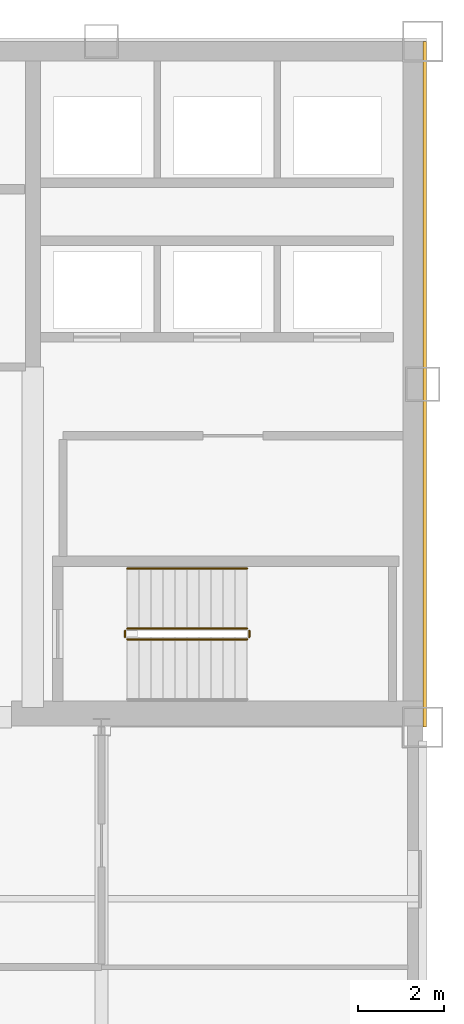
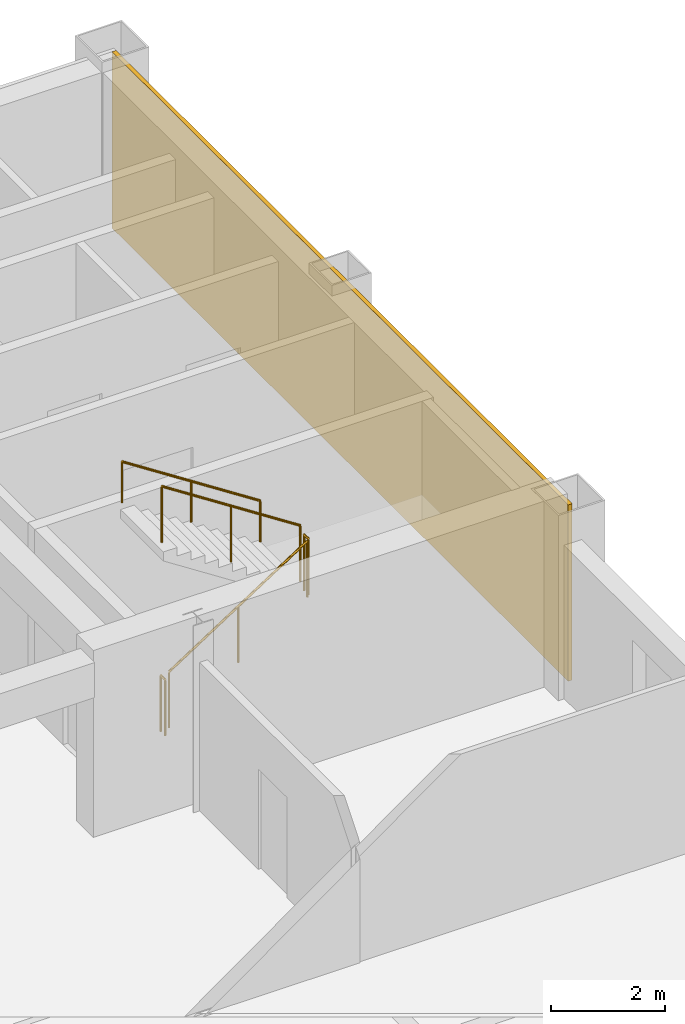
# One storey, part 8 of 10: 5 railings, 1 covering.
"""IFC4 building model written with IfcOpenShell, lengths in metres."""

import ifcopenshell
import ifcopenshell.guid

model = None  # the IFC model being written
_history = None  # IfcOwnerHistory: only IFC2X3 demands one
_inside = {}  # id of a spatial element -> (the spatial element, [elements in it])
_under = {}  # id of a project, library or spatial element -> (it, [spatial elements below it])
_declared = {}  # id of a project -> (the project, [libraries it declares])
_typed = {}  # id of a type object -> (the type object, [elements of that type])
_made_of = {}  # id of a material, layer set ... -> (it, [elements and type objects made of it])


def new_model(schema):
    """Start an empty IFC model of exactly this schema.

    Asked for "IFC4X3", IfcOpenShell would pick the latest addendum, in which some entities
    have other attributes; the version numbers below select the first issue.
    IFC2X3 requires an IfcOwnerHistory on every rooted entity: one is made here for all.
    """
    global model, _history
    if schema == "IFC4X3":
        model = ifcopenshell.file(schema_version=(4, 3, 0, 0))
    else:
        model = ifcopenshell.file(schema=schema)
    _inside.clear()
    _under.clear()
    _declared.clear()
    _typed.clear()
    _made_of.clear()
    _history = None
    if model.schema == "IFC2X3":
        org = make("IfcOrganization", Name="unknown")
        user = make(
            "IfcPersonAndOrganization",
            ThePerson=make("IfcPerson", FamilyName="unknown"),
            TheOrganization=org,
        )
        app = make(
            "IfcApplication",
            ApplicationDeveloper=org,
            Version="unknown",
            ApplicationFullName="unknown",
            ApplicationIdentifier="unknown",
        )
        _history = make(
            "IfcOwnerHistory",
            OwningUser=user,
            OwningApplication=app,
            ChangeAction="ADDED",
            CreationDate=0,
        )
    return model


def make(cls, **values):
    """One entity of the class cls with the attributes given. An attribute that is None is left unset."""
    return model.create_entity(
        cls, **{name: value for name, value in values.items() if value is not None}
    )


def rooted(cls, **values):
    """An entity with a GlobalId (a new one), such as an element, a storey or a relation."""
    return make(cls, GlobalId=ifcopenshell.guid.new(), OwnerHistory=_history, **values)


def si_unit(unit_type, name, prefix=None):
    """IfcSIUnit, for example si_unit("LENGTHUNIT", "METRE", prefix="MILLI")."""
    return make("IfcSIUnit", UnitType=unit_type, Prefix=prefix, Name=name)


def assignment(units):
    """IfcUnitAssignment: the units of a project."""
    return None if units is None else make("IfcUnitAssignment", Units=units)


def point(xyz):
    """IfcCartesianPoint."""
    return None if xyz is None else make("IfcCartesianPoint", Coordinates=xyz)


def direction(xyz):
    """IfcDirection."""
    return None if xyz is None else make("IfcDirection", DirectionRatios=xyz)


def frame(location, z_axis=None, x_axis=None):
    """IfcAxis2Placement3D, a coordinate frame: its origin and axes. An axis left out is left unset."""
    return make(
        "IfcAxis2Placement3D",
        Location=point(location),
        Axis=direction(z_axis),
        RefDirection=direction(x_axis),
    )


def frame_2d(location, x_axis=None):
    """IfcAxis2Placement2D, a coordinate frame in the plane: its origin and x axis."""
    return make(
        "IfcAxis2Placement2D", Location=point(location), RefDirection=direction(x_axis)
    )


def origin():
    """The frame at (0, 0, 0) with its axes left unset."""
    return frame((0.0, 0.0, 0.0))


def origin_2d():
    """The frame at (0, 0) in the plane with its x axis left unset."""
    return frame_2d((0.0, 0.0))


def place(relative_to, where):
    """IfcLocalPlacement: puts the frame where relative to a parent placement (None: the world)."""
    return make(
        "IfcLocalPlacement", PlacementRelTo=relative_to, RelativePlacement=where
    )


def context(
    kind, dimensions, precision=None, world=None, true_north=None, identifier=None
):
    """IfcGeometricRepresentationContext, for example the 3D "Model" context."""
    return make(
        "IfcGeometricRepresentationContext",
        ContextIdentifier=identifier,
        ContextType=kind,
        CoordinateSpaceDimension=dimensions,
        Precision=precision,
        WorldCoordinateSystem=world,
        TrueNorth=true_north,
    )


def subcontext(parent, identifier, kind, view, scale=None):
    """IfcGeometricRepresentationSubContext, for example "Body" below "Model"."""
    return make(
        "IfcGeometricRepresentationSubContext",
        ContextIdentifier=identifier,
        ContextType=kind,
        ParentContext=parent,
        TargetScale=scale,
        TargetView=view,
    )


def project(units=None, contexts=None):
    """IfcProject with its units and contexts."""
    return rooted(
        "IfcProject",
        Name="project",
        RepresentationContexts=contexts,
        UnitsInContext=assignment(units),
    )


def spatial(cls, under=None, at=None, **own):
    """A site, building, storey or space (cls), placed at a placement, below another one or the project."""
    s = rooted(cls, ObjectPlacement=at, **own)
    if under is not None:
        _under.setdefault(under.id(), (under, []))[1].append(s)
    return s


def profile(cls, at=None, kind="AREA", **sizes):
    """A parametric profile (cls). Its sizes go by their IFC names, for example OverallWidth=200.0."""
    return make(cls, ProfileType=kind, Position=at, **sizes)


def rectangle(**sizes):
    """IfcRectangleProfileDef."""
    return profile("IfcRectangleProfileDef", **sizes)


def circle(**sizes):
    """IfcCircleProfileDef."""
    return profile("IfcCircleProfileDef", **sizes)


def extrude(swept, where, along, depth):
    """IfcExtrudedAreaSolid: the profile swept, set in the frame where, extruded along a direction by depth."""
    return make(
        "IfcExtrudedAreaSolid",
        SweptArea=swept,
        Position=where,
        ExtrudedDirection=direction(along),
        Depth=depth,
    )


def shape(context_of_items, identifier, shape_type, items):
    """IfcShapeRepresentation: the items that make up one representation, for example the "Body"."""
    return make(
        "IfcShapeRepresentation",
        ContextOfItems=context_of_items,
        RepresentationIdentifier=identifier,
        RepresentationType=shape_type,
        Items=items,
    )


def material(Name=None, Category=None):
    """IfcMaterial."""
    return make("IfcMaterial", Name=Name, Category=Category)


def layer(
    of_material, thickness, ventilated=None, Name=None, Category=None, Priority=None
):
    """IfcMaterialLayer: one layer of a wall or slab, of a material (None: an air gap)."""
    return make(
        "IfcMaterialLayer",
        Material=of_material,
        LayerThickness=thickness,
        IsVentilated=ventilated,
        Name=Name,
        Category=Category,
        Priority=Priority,
    )


def layer_set(layers, Name=None):
    """IfcMaterialLayerSet."""
    return make("IfcMaterialLayerSet", MaterialLayers=layers, LayerSetName=Name)


def made_of(thing, what):
    """Note that an element or type object is made of a material, layer set ...; save() writes the relation."""
    if what is not None:
        _made_of.setdefault(what.id(), (what, []))[1].append(thing)
    return thing


def type_object(cls, material=None, **own):
    """A type object (cls), such as IfcWallType, which elements share."""
    return made_of(rooted(cls, **own), material)


def element(
    cls,
    number,
    at=None,
    inside=None,
    cuts=None,
    type_object=None,
    material=None,
    context=None,
    identifier="Body",
    shape_type=None,
    held_by="IfcProductDefinitionShape",
    body=None,
    shapes=None,
    **own,
):
    """One element of the class cls, such as IfcWall. Its Tag is "e" and its number.

    at: its placement. inside: the storey or other place that contains it. cuts: it is an
    opening in that element (IfcRelVoidsElement). A single representation is given by context,
    identifier, shape_type and body (its items); several are given by shapes. held_by: the class
    of the entity that holds the representations. save() writes the other relations.
    """
    e = rooted(cls, Tag="e%d" % number, ObjectPlacement=at, **own)
    if body is not None:
        shapes = [shape(context, identifier, shape_type, body)]
    if shapes is not None:
        e.Representation = make(held_by, Representations=shapes)
    if inside is not None:
        _inside.setdefault(inside.id(), (inside, []))[1].append(e)
    if cuts is not None:
        rooted(
            "IfcRelVoidsElement", RelatingBuildingElement=cuts, RelatedOpeningElement=e
        )
    if type_object is not None:
        _typed.setdefault(type_object.id(), (type_object, []))[1].append(e)
    return made_of(e, material)


def aggregate(whole, parts):
    """IfcRelAggregates: a whole, such as a stair, and the parts it consists of."""
    return rooted("IfcRelAggregates", RelatingObject=whole, RelatedObjects=parts)


def save(model, path):
    """Write the relations noted so far, then the file.

    IfcRelAggregates (storeys below a building ...), IfcRelContainedInSpatialStructure (elements
    in a storey), IfcRelDefinesByType, IfcRelAssociatesMaterial and IfcRelDeclares: one each for
    every whole, place, type object, material and project.
    """
    for whole, parts in _under.values():
        aggregate(whole, parts)
    for where, things in _inside.values():
        rooted(
            "IfcRelContainedInSpatialStructure",
            RelatedElements=things,
            RelatingStructure=where,
        )
    for kind, things in _typed.values():
        rooted("IfcRelDefinesByType", RelatedObjects=things, RelatingType=kind)
    for what, things in _made_of.values():
        rooted("IfcRelAssociatesMaterial", RelatedObjects=things, RelatingMaterial=what)
    for by, libraries in _declared.values():
        rooted("IfcRelDeclares", RelatingContext=by, RelatedDefinitions=libraries)
    model.write(path)


model = new_model("IFC4")

# Units and contexts
model_context = context("Model", 3, precision=1e-05, world=origin(), true_north=direction((0.0, 1.0)))
body_context = subcontext(model_context, "Body", "Model", "MODEL_VIEW")
ifc_project = project(units=[si_unit("LENGTHUNIT", "METRE"), si_unit("AREAUNIT", "SQUARE_METRE"), si_unit("VOLUMEUNIT", "CUBIC_METRE"), si_unit("PLANEANGLEUNIT", "RADIAN"), si_unit("MASSUNIT", "GRAM", prefix="KILO")], contexts=[model_context])

# Site, building, storey
site_placement = place(None, origin())
site = spatial("IfcSite", under=ifc_project, at=site_placement, CompositionType="ELEMENT")
building_placement = place(site_placement, origin())
building = spatial("IfcBuilding", under=site, at=building_placement, Name="Qianrong Seaharbour Tower", CompositionType="ELEMENT")
storey_placement = place(building_placement, frame((0.0, 0.0, 253.800048828125)))
storey = spatial("IfcBuildingStorey", under=building, at=storey_placement, Name="L61", CompositionType="ELEMENT", Elevation=253.800048828125)

# Covering
ifc_material_1 = material(Name="Unitised red brick cladding on Precast concrete C45/55", Category="masonry")
ifc_layer = layer(ifc_material_1, 0.080078125)
ifc_layer_set = layer_set([ifc_layer], Name="Unitised red brick cladding on Precast concrete C45/55")
covering_type = type_object("IfcCoveringType", Name="COV-CLAD-RED-BRICK-80", PredefinedType="CLADDING", material=ifc_layer_set)
covering_placement = place(storey_placement, frame((64.0400390625, 44.0, 0.0), z_axis=(0.0, 0.0, 1.0), x_axis=(1.0, 0.0, 0.0)))
element("IfcCovering", 1, at=covering_placement, inside=storey, type_object=covering_type, Name="L61 East Core Brick Veneer Cladding", PredefinedType="CLADDING", context=body_context, shape_type="SweptSolid", body=[
    extrude(rectangle(XDim=0.080078125, YDim=16.0, at=origin_2d()), origin(), (0.0, 0.0, 1.0), 3.77490234375),
])

# Railings
ifc_material_2 = material(Name="Galvanized painted steel SN400B stair guard", Category="steel")
railing_type_1 = type_object("IfcRailingType", Name="RAIL-STAIR-GUARD-1220", PredefinedType="GUARDRAIL", material=ifc_material_2)
railing_1_placement = place(storey_placement, frame((57.10009765625, 38.050048828125, 0.181884765625)))
element("IfcRailing", 2, at=railing_1_placement, inside=storey, type_object=railing_type_1, Name="L61 ST-2 stair guard 1", PredefinedType="GUARDRAIL", context=body_context, shape_type="SweptSolid", body=[
    extrude(circle(Radius=0.02392578125, at=origin_2d()), frame((0.0, 0.0, 1.19580078125), z_axis=(0.83868413941, 0.0, 0.544618136222), x_axis=(0.0, 1.0, 0.0)), (0.0, 0.0, 1.0), 3.33837890625),
    extrude(circle(Radius=0.02099609375, at=origin_2d()), origin(), (0.0, 0.0, 1.0), 1.171875),
    extrude(circle(Radius=0.02099609375, at=origin_2d()), frame((1.39990234375, 0.0, 0.9091796875)), (0.0, 0.0, 1.0), 1.171875),
    extrude(circle(Radius=0.02099609375, at=origin_2d()), frame((2.7998046875, 0.0, 1.818115234375)), (0.0, 0.0, 1.0), 1.171875),
])
railing_2_placement = place(storey_placement, frame((59.949951171875, 38.10009765625, 2.0)))
element("IfcRailing", 3, at=railing_2_placement, inside=storey, type_object=railing_type_1, Name="L61 ST-2 stair guard 2", PredefinedType="GUARDRAIL", context=body_context, shape_type="SweptSolid", body=[
    extrude(circle(Radius=0.02392578125, at=origin_2d()), frame((0.0, 0.0, 1.19580078125), z_axis=(0.0, 1.0, 0.0), x_axis=(-1.0, 0.0, 0.0)), (0.0, 0.0, 1.0), 0.14990234375),
    extrude(circle(Radius=0.02099609375, at=origin_2d()), origin(), (0.0, 0.0, 1.0), 1.171875),
    extrude(circle(Radius=0.02099609375, at=origin_2d()), frame((0.0, 0.14990234375, 0.0)), (0.0, 0.0, 1.0), 1.171875),
])
railing_3_placement = place(storey_placement, frame((59.89990234375, 38.300048828125, 2.181884765625)))
element("IfcRailing", 4, at=railing_3_placement, inside=storey, type_object=railing_type_1, Name="L61 ST-2 stair guard 3", PredefinedType="GUARDRAIL", context=body_context, shape_type="SweptSolid", body=[
    extrude(circle(Radius=0.02392578125, at=origin_2d()), frame((0.0, 0.0, 1.19580078125), z_axis=(-0.83868413941, 0.0, 0.544618136222), x_axis=(0.0, -1.0, 0.0)), (0.0, 0.0, 1.0), 3.33837890625),
    extrude(circle(Radius=0.02099609375, at=origin_2d()), origin(), (0.0, 0.0, 1.0), 1.171875),
    extrude(circle(Radius=0.02099609375, at=origin_2d()), frame((-1.39990234375, 0.0, 0.9091796875)), (0.0, 0.0, 1.0), 1.171875),
    extrude(circle(Radius=0.02099609375, at=origin_2d()), frame((-2.7998046875, 0.0, 1.818115234375)), (0.0, 0.0, 1.0), 1.171875),
])
railing_4_placement = place(storey_placement, frame((57.050048828125, 38.10009765625, 0.0)))
element("IfcRailing", 5, at=railing_4_placement, inside=storey, type_object=railing_type_1, Name="L61 ST-2 stair guard 4", PredefinedType="GUARDRAIL", context=body_context, shape_type="SweptSolid", body=[
    extrude(circle(Radius=0.02392578125, at=origin_2d()), frame((0.0, 0.0, 1.19580078125), z_axis=(0.0, 1.0, 0.0), x_axis=(-1.0, 0.0, 0.0)), (0.0, 0.0, 1.0), 0.14990234375),
    extrude(circle(Radius=0.02099609375, at=origin_2d()), origin(), (0.0, 0.0, 1.0), 1.171875),
    extrude(circle(Radius=0.02099609375, at=origin_2d()), frame((0.0, 0.14990234375, 0.0)), (0.0, 0.0, 1.0), 1.171875),
])
ifc_material_3 = material(Name="Stainless steel SUS316L continuous handrail", Category="steel")
railing_type_2 = type_object("IfcRailingType", Name="RAIL-STAIR-HANDRAIL-900", PredefinedType="HANDRAIL", material=ifc_material_3)
railing_5_placement = place(storey_placement, frame((59.89990234375, 39.699951171875, 2.181884765625)))
element("IfcRailing", 6, at=railing_5_placement, inside=storey, type_object=railing_type_2, Name="L61 ST-2 stair handrail 2", PredefinedType="HANDRAIL", context=body_context, shape_type="SweptSolid", body=[
    extrude(circle(Radius=0.02392578125, at=origin_2d()), frame((0.0, 0.0, 0.8759765625), z_axis=(-0.83868413941, 0.0, 0.544618136222), x_axis=(0.0, -1.0, 0.0)), (0.0, 0.0, 1.0), 3.33837890625),
    extrude(circle(Radius=0.02099609375, at=origin_2d()), origin(), (0.0, 0.0, 1.0), 0.851806640625),
    extrude(circle(Radius=0.02099609375, at=origin_2d()), frame((-1.39990234375, 0.0, 0.9091796875)), (0.0, 0.0, 1.0), 0.851806640625),
    extrude(circle(Radius=0.02099609375, at=origin_2d()), frame((-2.7998046875, 0.0, 1.818115234375)), (0.0, 0.0, 1.0), 0.851806640625),
])

save(model, "model.ifc")
